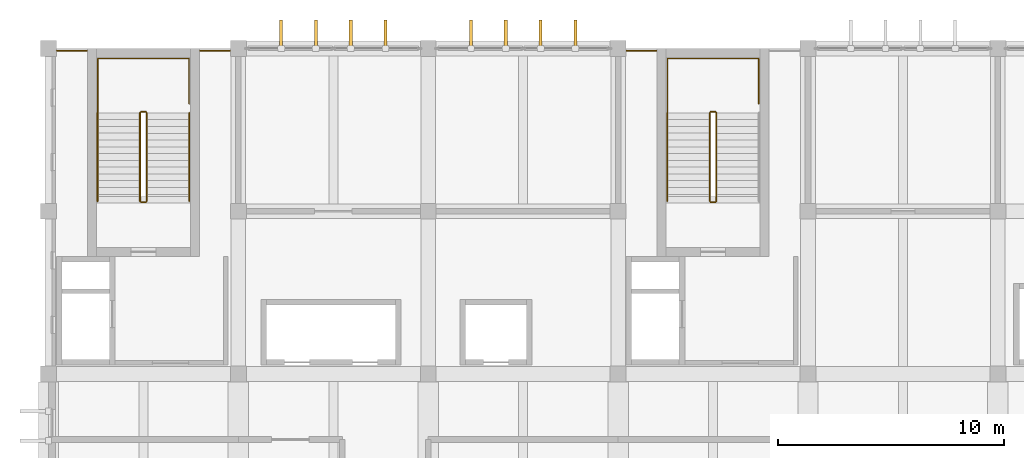
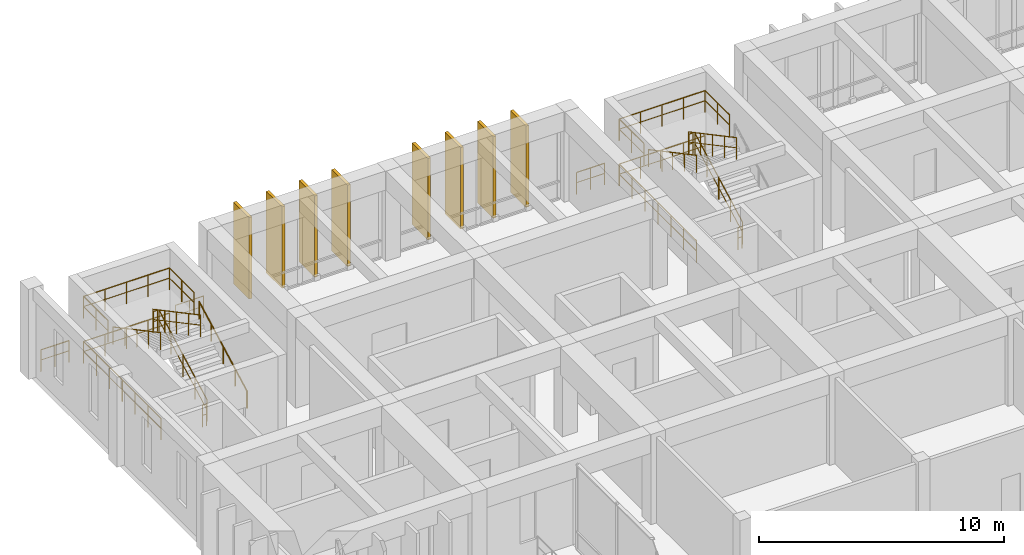
# One storey, part 16 of 17: 18 railings, 8 shading devices.
"""IFC4 building model written with IfcOpenShell, lengths in metres."""

from ifc_helpers import new_model, si_unit, direction, frame, origin, origin_2d, place, context, subcontext, project, spatial, rectangle, circle, extrude, material, type_object, element, save


model = new_model("IFC4")

# Units and contexts
model_context = context("Model", 3, precision=1e-05, world=origin(), true_north=direction((0.0, 1.0)))
body_context = subcontext(model_context, "Body", "Model", "MODEL_VIEW")
ifc_project = project(units=[si_unit("LENGTHUNIT", "METRE"), si_unit("AREAUNIT", "SQUARE_METRE"), si_unit("VOLUMEUNIT", "CUBIC_METRE"), si_unit("PLANEANGLEUNIT", "RADIAN"), si_unit("MASSUNIT", "GRAM", prefix="KILO")], contexts=[model_context])

# Site, building, storey
site_placement = place(None, origin())
site = spatial("IfcSite", under=ifc_project, at=site_placement, CompositionType="ELEMENT")
building_placement = place(site_placement, origin())
building = spatial("IfcBuilding", under=site, at=building_placement, Name="Kenerak Square Central Library", CompositionType="ELEMENT")
storey_placement = place(building_placement, frame((0.0, 0.0, 23.360107421875)))
storey = spatial("IfcBuildingStorey", under=building, at=storey_placement, Name="L05", CompositionType="ELEMENT", Elevation=23.360107421875)

# Shading devices
ifc_material_1 = material(Name="White precast concrete C40/50", Category="concrete")
shading_device_type = type_object("IfcShadingDeviceType", Name="Precast Vertical Solar Fin SF-1280 C40/50", PredefinedType="USERDEFINED", material=ifc_material_1)
for number, where, z_axis, x_axis, name in (
    (1, (68.68994140625, 111.02001953125, 0.10009765625), (0.0, 0.0, 1.0), (1.0, 0.0, 0.0), "Precast Solar Fin FIN-01 L05 0415"),
    (2, (70.22998046875, 111.02001953125, 0.10009765625), (0.0, 0.0, 1.0), (1.0, 0.0, 0.0), "Precast Solar Fin FIN-01 L05 0416"),
    (3, (71.77001953125, 111.02001953125, 0.10009765625), (0.0, 0.0, 1.0), (1.0, 0.0, 0.0), "Precast Solar Fin FIN-01 L05 0417"),
    (4, (73.31005859375, 111.02001953125, 0.10009765625), (0.0, 0.0, 1.0), (1.0, 0.0, 0.0), "Precast Solar Fin FIN-01 L05 0418"),
    (5, (77.090087890625, 111.02001953125, 0.10009765625), (0.0, 0.0, 1.0), (1.0, 0.0, 0.0), "Precast Solar Fin FIN-01 L05 0419"),
    (6, (78.6298828125, 111.02001953125, 0.10009765625), (0.0, 0.0, 1.0), (1.0, 0.0, 0.0), "Precast Solar Fin FIN-01 L05 0420"),
    (7, (80.169921875, 111.02001953125, 0.10009765625), (0.0, 0.0, 1.0), (1.0, 0.0, 0.0), "Precast Solar Fin FIN-01 L05 0421"),
    (8, (81.7099609375, 111.02001953125, 0.10009765625), (0.0, 0.0, 1.0), (1.0, 0.0, 0.0), "Precast Solar Fin FIN-01 L05 0422"),
):
    element("IfcShadingDevice", number, at=place(storey_placement, frame(where, z_axis=z_axis, x_axis=x_axis)), inside=storey, type_object=shading_device_type, Name=name, ObjectType="FIN", PredefinedType="USERDEFINED", context=body_context, shape_type="SweptSolid", body=[
        extrude(rectangle(XDim=0.139892578125, YDim=1.280029296875, at=origin_2d()), origin(), (0.0, 0.0, 1.0), 4.054931640625),
    ])

# Railings
ifc_material_2 = material(Name="Steel S355", Category="steel")
railing_type_1 = type_object("IfcRailingType", Name="Safety Guardrail GR-1100 S355", PredefinedType="GUARDRAIL", material=ifc_material_2)
railing_1_placement = place(storey_placement, frame((62.75, 103.64990234375, 0.159912109375)))
element("IfcRailing", 9, at=railing_1_placement, inside=storey, type_object=railing_type_1, Name="L05 ST-01 stair guard 1", PredefinedType="GUARDRAIL", context=body_context, shape_type="SweptSolid", body=[
    extrude(circle(Radius=0.02392578125, at=origin_2d()), frame((0.0, 0.0, 1.076171875), z_axis=(0.0, 0.882352941176, 0.470588235294), x_axis=(-1.0, 0.0, 0.0)), (0.0, 0.0, 1.0), 4.420166015625),
    extrude(circle(Radius=0.01806640625, at=origin_2d()), frame((0.0, 0.0, 0.572021484375), z_axis=(0.0, 0.882352941176, 0.470588235294), x_axis=(-1.0, 0.0, 0.0)), (0.0, 0.0, 1.0), 4.420166015625),
    extrude(circle(Radius=0.02099609375, at=origin_2d()), origin(), (0.0, 0.0, 1.0), 1.052001953125),
    extrude(circle(Radius=0.02099609375, at=origin_2d()), frame((0.0, 0.97509765625, 0.52001953125)), (0.0, 0.0, 1.0), 1.052001953125),
    extrude(circle(Radius=0.02099609375, at=origin_2d()), frame((0.0, 1.9501953125, 1.0400390625)), (0.0, 0.0, 1.0), 1.052001953125),
    extrude(circle(Radius=0.02099609375, at=origin_2d()), frame((0.0, 2.925048828125, 1.56005859375)), (0.0, 0.0, 1.0), 1.052001953125),
    extrude(circle(Radius=0.02099609375, at=origin_2d()), frame((0.0, 3.900146484375, 2.080078125)), (0.0, 0.0, 1.0), 1.052001953125),
])
railing_2_placement = place(storey_placement, frame((62.699951171875, 107.60009765625, 2.239990234375)))
element("IfcRailing", 10, at=railing_2_placement, inside=storey, type_object=railing_type_1, Name="L05 ST-01 stair guard 2", PredefinedType="GUARDRAIL", context=body_context, shape_type="SweptSolid", body=[
    extrude(circle(Radius=0.02392578125, at=origin_2d()), frame((0.0, 0.0, 1.076171875), z_axis=(-1.0, 0.0, 0.0), x_axis=(0.0, -1.0, 0.0)), (0.0, 0.0, 1.0), 0.199951171875),
    extrude(circle(Radius=0.01806640625, at=origin_2d()), frame((0.0, 0.0, 0.572021484375), z_axis=(-1.0, 0.0, 0.0), x_axis=(0.0, -1.0, 0.0)), (0.0, 0.0, 1.0), 0.199951171875),
    extrude(circle(Radius=0.02099609375, at=origin_2d()), origin(), (0.0, 0.0, 1.0), 1.052001953125),
    extrude(circle(Radius=0.02099609375, at=origin_2d()), frame((-0.199951171875, 0.0, 0.0)), (0.0, 0.0, 1.0), 1.052001953125),
])
railing_3_placement = place(storey_placement, frame((62.449951171875, 107.550048828125, 2.39990234375)))
element("IfcRailing", 11, at=railing_3_placement, inside=storey, type_object=railing_type_1, Name="L05 ST-01 stair guard 3", PredefinedType="GUARDRAIL", context=body_context, shape_type="SweptSolid", body=[
    extrude(circle(Radius=0.02392578125, at=origin_2d()), frame((0.0, 0.0, 1.076171875), z_axis=(0.0, -0.882352941176, 0.470588235294), x_axis=(1.0, 0.0, 0.0)), (0.0, 0.0, 1.0), 4.420166015625),
    extrude(circle(Radius=0.01806640625, at=origin_2d()), frame((0.0, 0.0, 0.572021484375), z_axis=(0.0, -0.882352941176, 0.470588235294), x_axis=(1.0, 0.0, 0.0)), (0.0, 0.0, 1.0), 4.420166015625),
    extrude(circle(Radius=0.02099609375, at=origin_2d()), origin(), (0.0, 0.0, 1.0), 1.052001953125),
    extrude(circle(Radius=0.02099609375, at=origin_2d()), frame((0.0, -0.97509765625, 0.52001953125)), (0.0, 0.0, 1.0), 1.052001953125),
    extrude(circle(Radius=0.02099609375, at=origin_2d()), frame((0.0, -1.9501953125, 1.0400390625)), (0.0, 0.0, 1.0), 1.052001953125),
    extrude(circle(Radius=0.02099609375, at=origin_2d()), frame((0.0, -2.925048828125, 1.56005859375)), (0.0, 0.0, 1.0), 1.052001953125),
    extrude(circle(Radius=0.02099609375, at=origin_2d()), frame((0.0, -3.900146484375, 2.080078125)), (0.0, 0.0, 1.0), 1.052001953125),
])
railing_4_placement = place(storey_placement, frame((62.699951171875, 103.60009765625, 0.0)))
element("IfcRailing", 12, at=railing_4_placement, inside=storey, type_object=railing_type_1, Name="L05 ST-01 stair guard 4", PredefinedType="GUARDRAIL", context=body_context, shape_type="SweptSolid", body=[
    extrude(circle(Radius=0.02392578125, at=origin_2d()), frame((0.0, 0.0, 1.076171875), z_axis=(-1.0, 0.0, 0.0), x_axis=(0.0, -1.0, 0.0)), (0.0, 0.0, 1.0), 0.199951171875),
    extrude(circle(Radius=0.01806640625, at=origin_2d()), frame((0.0, 0.0, 0.572021484375), z_axis=(-1.0, 0.0, 0.0), x_axis=(0.0, -1.0, 0.0)), (0.0, 0.0, 1.0), 0.199951171875),
    extrude(circle(Radius=0.02099609375, at=origin_2d()), origin(), (0.0, 0.0, 1.0), 1.052001953125),
    extrude(circle(Radius=0.02099609375, at=origin_2d()), frame((-0.199951171875, 0.0, 0.0)), (0.0, 0.0, 1.0), 1.052001953125),
])
railing_5_placement = place(storey_placement, frame((60.580078125, 107.949951171875, 2.239990234375)))
element("IfcRailing", 13, at=railing_5_placement, inside=storey, type_object=railing_type_1, Name="Stair Half-Landing Guard ST-01 L05", PredefinedType="GUARDRAIL", context=body_context, shape_type="SweptSolid", body=[
    extrude(circle(Radius=0.02392578125, at=origin_2d()), frame((0.0, 0.0, 1.076171875), z_axis=(0.0, 1.0, 0.0), x_axis=(-1.0, 0.0, 0.0)), (0.0, 0.0, 1.0), 2.0),
    extrude(circle(Radius=0.01806640625, at=origin_2d()), frame((0.0, 0.0, 0.572021484375), z_axis=(0.0, 1.0, 0.0), x_axis=(-1.0, 0.0, 0.0)), (0.0, 0.0, 1.0), 2.0),
    extrude(circle(Radius=0.02392578125, at=origin_2d()), frame((0.0, 2.0, 1.076171875), z_axis=(1.0, 0.0, 0.0), x_axis=(0.0, 1.0, 0.0)), (0.0, 0.0, 1.0), 4.0400390625),
    extrude(circle(Radius=0.01806640625, at=origin_2d()), frame((0.0, 2.0, 0.572021484375), z_axis=(1.0, 0.0, 0.0), x_axis=(0.0, 1.0, 0.0)), (0.0, 0.0, 1.0), 4.0400390625),
    extrude(circle(Radius=0.02392578125, at=origin_2d()), frame((4.0400390625, 2.0, 1.076171875), z_axis=(0.0, -1.0, 0.0), x_axis=(1.0, 0.0, 0.0)), (0.0, 0.0, 1.0), 2.0),
    extrude(circle(Radius=0.01806640625, at=origin_2d()), frame((4.0400390625, 2.0, 0.572021484375), z_axis=(0.0, -1.0, 0.0), x_axis=(1.0, 0.0, 0.0)), (0.0, 0.0, 1.0), 2.0),
    extrude(circle(Radius=0.02099609375, at=origin_2d()), origin(), (0.0, 0.0, 1.0), 1.052001953125),
    extrude(circle(Radius=0.02099609375, at=origin_2d()), frame((0.0, 1.0, 0.0)), (0.0, 0.0, 1.0), 1.052001953125),
    extrude(circle(Radius=0.02099609375, at=origin_2d()), frame((0.0, 2.0, 0.0)), (0.0, 0.0, 1.0), 1.052001953125),
    extrude(circle(Radius=0.02099609375, at=origin_2d()), frame((1.010009765625, 2.0, 0.0)), (0.0, 0.0, 1.0), 1.052001953125),
    extrude(circle(Radius=0.02099609375, at=origin_2d()), frame((2.02001953125, 2.0, 0.0)), (0.0, 0.0, 1.0), 1.052001953125),
    extrude(circle(Radius=0.02099609375, at=origin_2d()), frame((3.030029296875, 2.0, 0.0)), (0.0, 0.0, 1.0), 1.052001953125),
    extrude(circle(Radius=0.02099609375, at=origin_2d()), frame((4.0400390625, 2.0, 0.0)), (0.0, 0.0, 1.0), 1.052001953125),
    extrude(circle(Radius=0.02099609375, at=origin_2d()), frame((4.0400390625, 1.0, 0.0)), (0.0, 0.0, 1.0), 1.052001953125),
    extrude(circle(Radius=0.02099609375, at=origin_2d()), frame((4.0400390625, 0.0, 0.0)), (0.0, 0.0, 1.0), 1.052001953125),
])
railing_6_placement = place(storey_placement, frame((60.580078125, 103.64990234375, 0.0)))
element("IfcRailing", 14, at=railing_6_placement, inside=storey, type_object=railing_type_1, Name="Stair Well Floor Guard ST-01 L05", PredefinedType="GUARDRAIL", context=body_context, shape_type="SweptSolid", body=[
    extrude(circle(Radius=0.02392578125, at=origin_2d()), frame((0.0, 0.0, 1.076171875), z_axis=(0.0, 1.0, 0.0), x_axis=(-1.0, 0.0, 0.0)), (0.0, 0.0, 1.0), 6.300048828125),
    extrude(circle(Radius=0.01806640625, at=origin_2d()), frame((0.0, 0.0, 0.572021484375), z_axis=(0.0, 1.0, 0.0), x_axis=(-1.0, 0.0, 0.0)), (0.0, 0.0, 1.0), 6.300048828125),
    extrude(circle(Radius=0.02392578125, at=origin_2d()), frame((0.0, 6.300048828125, 1.076171875), z_axis=(1.0, 0.0, 0.0), x_axis=(0.0, 1.0, 0.0)), (0.0, 0.0, 1.0), 4.0400390625),
    extrude(circle(Radius=0.01806640625, at=origin_2d()), frame((0.0, 6.300048828125, 0.572021484375), z_axis=(1.0, 0.0, 0.0), x_axis=(0.0, 1.0, 0.0)), (0.0, 0.0, 1.0), 4.0400390625),
    extrude(circle(Radius=0.02099609375, at=origin_2d()), origin(), (0.0, 0.0, 1.0), 1.052001953125),
    extrude(circle(Radius=0.02099609375, at=origin_2d()), frame((0.0, 1.050048828125, 0.0)), (0.0, 0.0, 1.0), 1.052001953125),
    extrude(circle(Radius=0.02099609375, at=origin_2d()), frame((0.0, 2.10009765625, 0.0)), (0.0, 0.0, 1.0), 1.052001953125),
    extrude(circle(Radius=0.02099609375, at=origin_2d()), frame((0.0, 3.14990234375, 0.0)), (0.0, 0.0, 1.0), 1.052001953125),
    extrude(circle(Radius=0.02099609375, at=origin_2d()), frame((0.0, 4.199951171875, 0.0)), (0.0, 0.0, 1.0), 1.052001953125),
    extrude(circle(Radius=0.02099609375, at=origin_2d()), frame((0.0, 5.25, 0.0)), (0.0, 0.0, 1.0), 1.052001953125),
    extrude(circle(Radius=0.02099609375, at=origin_2d()), frame((0.0, 6.300048828125, 0.0)), (0.0, 0.0, 1.0), 1.052001953125),
    extrude(circle(Radius=0.02099609375, at=origin_2d()), frame((1.010009765625, 6.300048828125, 0.0)), (0.0, 0.0, 1.0), 1.052001953125),
    extrude(circle(Radius=0.02099609375, at=origin_2d()), frame((2.02001953125, 6.300048828125, 0.0)), (0.0, 0.0, 1.0), 1.052001953125),
    extrude(circle(Radius=0.02099609375, at=origin_2d()), frame((3.030029296875, 6.300048828125, 0.0)), (0.0, 0.0, 1.0), 1.052001953125),
    extrude(circle(Radius=0.02099609375, at=origin_2d()), frame((4.0400390625, 6.300048828125, 0.0)), (0.0, 0.0, 1.0), 1.052001953125),
])
railing_7_placement = place(storey_placement, frame((87.949951171875, 103.64990234375, 0.159912109375)))
element("IfcRailing", 15, at=railing_7_placement, inside=storey, type_object=railing_type_1, Name="L05 ST-02 stair guard 1", PredefinedType="GUARDRAIL", context=body_context, shape_type="SweptSolid", body=[
    extrude(circle(Radius=0.02392578125, at=origin_2d()), frame((0.0, 0.0, 1.076171875), z_axis=(0.0, 0.882352941176, 0.470588235294), x_axis=(-1.0, 0.0, 0.0)), (0.0, 0.0, 1.0), 4.420166015625),
    extrude(circle(Radius=0.01806640625, at=origin_2d()), frame((0.0, 0.0, 0.572021484375), z_axis=(0.0, 0.882352941176, 0.470588235294), x_axis=(-1.0, 0.0, 0.0)), (0.0, 0.0, 1.0), 4.420166015625),
    extrude(circle(Radius=0.02099609375, at=origin_2d()), origin(), (0.0, 0.0, 1.0), 1.052001953125),
    extrude(circle(Radius=0.02099609375, at=origin_2d()), frame((0.0, 0.97509765625, 0.52001953125)), (0.0, 0.0, 1.0), 1.052001953125),
    extrude(circle(Radius=0.02099609375, at=origin_2d()), frame((0.0, 1.9501953125, 1.0400390625)), (0.0, 0.0, 1.0), 1.052001953125),
    extrude(circle(Radius=0.02099609375, at=origin_2d()), frame((0.0, 2.925048828125, 1.56005859375)), (0.0, 0.0, 1.0), 1.052001953125),
    extrude(circle(Radius=0.02099609375, at=origin_2d()), frame((0.0, 3.900146484375, 2.080078125)), (0.0, 0.0, 1.0), 1.052001953125),
])
railing_8_placement = place(storey_placement, frame((87.89990234375, 107.60009765625, 2.239990234375)))
element("IfcRailing", 16, at=railing_8_placement, inside=storey, type_object=railing_type_1, Name="L05 ST-02 stair guard 2", PredefinedType="GUARDRAIL", context=body_context, shape_type="SweptSolid", body=[
    extrude(circle(Radius=0.02392578125, at=origin_2d()), frame((0.0, 0.0, 1.076171875), z_axis=(-1.0, 0.0, 0.0), x_axis=(0.0, -1.0, 0.0)), (0.0, 0.0, 1.0), 0.199951171875),
    extrude(circle(Radius=0.01806640625, at=origin_2d()), frame((0.0, 0.0, 0.572021484375), z_axis=(-1.0, 0.0, 0.0), x_axis=(0.0, -1.0, 0.0)), (0.0, 0.0, 1.0), 0.199951171875),
    extrude(circle(Radius=0.02099609375, at=origin_2d()), origin(), (0.0, 0.0, 1.0), 1.052001953125),
    extrude(circle(Radius=0.02099609375, at=origin_2d()), frame((-0.199951171875, 0.0, 0.0)), (0.0, 0.0, 1.0), 1.052001953125),
])
railing_9_placement = place(storey_placement, frame((87.64990234375, 107.550048828125, 2.39990234375)))
element("IfcRailing", 17, at=railing_9_placement, inside=storey, type_object=railing_type_1, Name="L05 ST-02 stair guard 3", PredefinedType="GUARDRAIL", context=body_context, shape_type="SweptSolid", body=[
    extrude(circle(Radius=0.02392578125, at=origin_2d()), frame((0.0, 0.0, 1.076171875), z_axis=(0.0, -0.882352941176, 0.470588235294), x_axis=(1.0, 0.0, 0.0)), (0.0, 0.0, 1.0), 4.420166015625),
    extrude(circle(Radius=0.01806640625, at=origin_2d()), frame((0.0, 0.0, 0.572021484375), z_axis=(0.0, -0.882352941176, 0.470588235294), x_axis=(1.0, 0.0, 0.0)), (0.0, 0.0, 1.0), 4.420166015625),
    extrude(circle(Radius=0.02099609375, at=origin_2d()), origin(), (0.0, 0.0, 1.0), 1.052001953125),
    extrude(circle(Radius=0.02099609375, at=origin_2d()), frame((0.0, -0.97509765625, 0.52001953125)), (0.0, 0.0, 1.0), 1.052001953125),
    extrude(circle(Radius=0.02099609375, at=origin_2d()), frame((0.0, -1.9501953125, 1.0400390625)), (0.0, 0.0, 1.0), 1.052001953125),
    extrude(circle(Radius=0.02099609375, at=origin_2d()), frame((0.0, -2.925048828125, 1.56005859375)), (0.0, 0.0, 1.0), 1.052001953125),
    extrude(circle(Radius=0.02099609375, at=origin_2d()), frame((0.0, -3.900146484375, 2.080078125)), (0.0, 0.0, 1.0), 1.052001953125),
])
railing_10_placement = place(storey_placement, frame((87.89990234375, 103.60009765625, 0.0)))
element("IfcRailing", 18, at=railing_10_placement, inside=storey, type_object=railing_type_1, Name="L05 ST-02 stair guard 4", PredefinedType="GUARDRAIL", context=body_context, shape_type="SweptSolid", body=[
    extrude(circle(Radius=0.02392578125, at=origin_2d()), frame((0.0, 0.0, 1.076171875), z_axis=(-1.0, 0.0, 0.0), x_axis=(0.0, -1.0, 0.0)), (0.0, 0.0, 1.0), 0.199951171875),
    extrude(circle(Radius=0.01806640625, at=origin_2d()), frame((0.0, 0.0, 0.572021484375), z_axis=(-1.0, 0.0, 0.0), x_axis=(0.0, -1.0, 0.0)), (0.0, 0.0, 1.0), 0.199951171875),
    extrude(circle(Radius=0.02099609375, at=origin_2d()), origin(), (0.0, 0.0, 1.0), 1.052001953125),
    extrude(circle(Radius=0.02099609375, at=origin_2d()), frame((-0.199951171875, 0.0, 0.0)), (0.0, 0.0, 1.0), 1.052001953125),
])
railing_11_placement = place(storey_placement, frame((85.780029296875, 107.949951171875, 2.239990234375)))
element("IfcRailing", 19, at=railing_11_placement, inside=storey, type_object=railing_type_1, Name="Stair Half-Landing Guard ST-02 L05", PredefinedType="GUARDRAIL", context=body_context, shape_type="SweptSolid", body=[
    extrude(circle(Radius=0.02392578125, at=origin_2d()), frame((0.0, 0.0, 1.076171875), z_axis=(0.0, 1.0, 0.0), x_axis=(-1.0, 0.0, 0.0)), (0.0, 0.0, 1.0), 2.0),
    extrude(circle(Radius=0.01806640625, at=origin_2d()), frame((0.0, 0.0, 0.572021484375), z_axis=(0.0, 1.0, 0.0), x_axis=(-1.0, 0.0, 0.0)), (0.0, 0.0, 1.0), 2.0),
    extrude(circle(Radius=0.02392578125, at=origin_2d()), frame((0.0, 2.0, 1.076171875), z_axis=(1.0, 0.0, 0.0), x_axis=(0.0, 1.0, 0.0)), (0.0, 0.0, 1.0), 4.0400390625),
    extrude(circle(Radius=0.01806640625, at=origin_2d()), frame((0.0, 2.0, 0.572021484375), z_axis=(1.0, 0.0, 0.0), x_axis=(0.0, 1.0, 0.0)), (0.0, 0.0, 1.0), 4.0400390625),
    extrude(circle(Radius=0.02392578125, at=origin_2d()), frame((4.0400390625, 2.0, 1.076171875), z_axis=(0.0, -1.0, 0.0), x_axis=(1.0, 0.0, 0.0)), (0.0, 0.0, 1.0), 2.0),
    extrude(circle(Radius=0.01806640625, at=origin_2d()), frame((4.0400390625, 2.0, 0.572021484375), z_axis=(0.0, -1.0, 0.0), x_axis=(1.0, 0.0, 0.0)), (0.0, 0.0, 1.0), 2.0),
    extrude(circle(Radius=0.02099609375, at=origin_2d()), origin(), (0.0, 0.0, 1.0), 1.052001953125),
    extrude(circle(Radius=0.02099609375, at=origin_2d()), frame((0.0, 1.0, 0.0)), (0.0, 0.0, 1.0), 1.052001953125),
    extrude(circle(Radius=0.02099609375, at=origin_2d()), frame((0.0, 2.0, 0.0)), (0.0, 0.0, 1.0), 1.052001953125),
    extrude(circle(Radius=0.02099609375, at=origin_2d()), frame((1.010009765625, 2.0, 0.0)), (0.0, 0.0, 1.0), 1.052001953125),
    extrude(circle(Radius=0.02099609375, at=origin_2d()), frame((2.02001953125, 2.0, 0.0)), (0.0, 0.0, 1.0), 1.052001953125),
    extrude(circle(Radius=0.02099609375, at=origin_2d()), frame((3.030029296875, 2.0, 0.0)), (0.0, 0.0, 1.0), 1.052001953125),
    extrude(circle(Radius=0.02099609375, at=origin_2d()), frame((4.0400390625, 2.0, 0.0)), (0.0, 0.0, 1.0), 1.052001953125),
    extrude(circle(Radius=0.02099609375, at=origin_2d()), frame((4.0400390625, 1.0, 0.0)), (0.0, 0.0, 1.0), 1.052001953125),
    extrude(circle(Radius=0.02099609375, at=origin_2d()), frame((4.0400390625, 0.0, 0.0)), (0.0, 0.0, 1.0), 1.052001953125),
])
railing_12_placement = place(storey_placement, frame((85.780029296875, 103.64990234375, 0.0)))
element("IfcRailing", 20, at=railing_12_placement, inside=storey, type_object=railing_type_1, Name="Stair Well Floor Guard ST-02 L05", PredefinedType="GUARDRAIL", context=body_context, shape_type="SweptSolid", body=[
    extrude(circle(Radius=0.02392578125, at=origin_2d()), frame((0.0, 0.0, 1.076171875), z_axis=(0.0, 1.0, 0.0), x_axis=(-1.0, 0.0, 0.0)), (0.0, 0.0, 1.0), 6.300048828125),
    extrude(circle(Radius=0.01806640625, at=origin_2d()), frame((0.0, 0.0, 0.572021484375), z_axis=(0.0, 1.0, 0.0), x_axis=(-1.0, 0.0, 0.0)), (0.0, 0.0, 1.0), 6.300048828125),
    extrude(circle(Radius=0.02392578125, at=origin_2d()), frame((0.0, 6.300048828125, 1.076171875), z_axis=(1.0, 0.0, 0.0), x_axis=(0.0, 1.0, 0.0)), (0.0, 0.0, 1.0), 4.0400390625),
    extrude(circle(Radius=0.01806640625, at=origin_2d()), frame((0.0, 6.300048828125, 0.572021484375), z_axis=(1.0, 0.0, 0.0), x_axis=(0.0, 1.0, 0.0)), (0.0, 0.0, 1.0), 4.0400390625),
    extrude(circle(Radius=0.02099609375, at=origin_2d()), origin(), (0.0, 0.0, 1.0), 1.052001953125),
    extrude(circle(Radius=0.02099609375, at=origin_2d()), frame((0.0, 1.050048828125, 0.0)), (0.0, 0.0, 1.0), 1.052001953125),
    extrude(circle(Radius=0.02099609375, at=origin_2d()), frame((0.0, 2.10009765625, 0.0)), (0.0, 0.0, 1.0), 1.052001953125),
    extrude(circle(Radius=0.02099609375, at=origin_2d()), frame((0.0, 3.14990234375, 0.0)), (0.0, 0.0, 1.0), 1.052001953125),
    extrude(circle(Radius=0.02099609375, at=origin_2d()), frame((0.0, 4.199951171875, 0.0)), (0.0, 0.0, 1.0), 1.052001953125),
    extrude(circle(Radius=0.02099609375, at=origin_2d()), frame((0.0, 5.25, 0.0)), (0.0, 0.0, 1.0), 1.052001953125),
    extrude(circle(Radius=0.02099609375, at=origin_2d()), frame((0.0, 6.300048828125, 0.0)), (0.0, 0.0, 1.0), 1.052001953125),
    extrude(circle(Radius=0.02099609375, at=origin_2d()), frame((1.010009765625, 6.300048828125, 0.0)), (0.0, 0.0, 1.0), 1.052001953125),
    extrude(circle(Radius=0.02099609375, at=origin_2d()), frame((2.02001953125, 6.300048828125, 0.0)), (0.0, 0.0, 1.0), 1.052001953125),
    extrude(circle(Radius=0.02099609375, at=origin_2d()), frame((3.030029296875, 6.300048828125, 0.0)), (0.0, 0.0, 1.0), 1.052001953125),
    extrude(circle(Radius=0.02099609375, at=origin_2d()), frame((4.0400390625, 6.300048828125, 0.0)), (0.0, 0.0, 1.0), 1.052001953125),
])
for number, where, name in (
    (21, (58.77197265625, 110.300048828125, 0.0), "Perimeter Edge Guardrail L05 59-1"),
    (22, (65.10205078125, 110.300048828125, 0.0), "Perimeter Edge Guardrail L05 65-2"),
):
    element("IfcRailing", number, at=place(storey_placement, frame(where)), inside=storey, type_object=railing_type_1, Name=name, PredefinedType="GUARDRAIL", context=body_context, shape_type="SweptSolid", body=[
        extrude(circle(Radius=0.02392578125, at=origin_2d()), frame((0.0, 0.0, 1.076171875), z_axis=(1.0, 0.0, 0.0), x_axis=(0.0, 1.0, 0.0)), (0.0, 0.0, 1.0), 1.325927734375),
        extrude(circle(Radius=0.01806640625, at=origin_2d()), frame((0.0, 0.0, 0.572021484375), z_axis=(1.0, 0.0, 0.0), x_axis=(0.0, 1.0, 0.0)), (0.0, 0.0, 1.0), 1.325927734375),
        extrude(circle(Radius=0.02099609375, at=origin_2d()), origin(), (0.0, 0.0, 1.0), 1.052001953125),
        extrude(circle(Radius=0.02099609375, at=origin_2d()), frame((0.6630859375, 0.0, 0.0)), (0.0, 0.0, 1.0), 1.052001953125),
        extrude(circle(Radius=0.02099609375, at=origin_2d()), frame((1.325927734375, 0.0, 0.0)), (0.0, 0.0, 1.0), 1.052001953125),
    ])
railing_13_placement = place(storey_placement, frame((83.971923828125, 110.300048828125, 0.0)))
element("IfcRailing", 23, at=railing_13_placement, inside=storey, type_object=railing_type_1, Name="Perimeter Edge Guardrail L05 84-1", PredefinedType="GUARDRAIL", context=body_context, shape_type="SweptSolid", body=[
    extrude(circle(Radius=0.02392578125, at=origin_2d()), frame((0.0, 0.0, 1.076171875), z_axis=(1.0, 0.0, 0.0), x_axis=(0.0, 1.0, 0.0)), (0.0, 0.0, 1.0), 1.326171875),
    extrude(circle(Radius=0.01806640625, at=origin_2d()), frame((0.0, 0.0, 0.572021484375), z_axis=(1.0, 0.0, 0.0), x_axis=(0.0, 1.0, 0.0)), (0.0, 0.0, 1.0), 1.326171875),
    extrude(circle(Radius=0.02099609375, at=origin_2d()), origin(), (0.0, 0.0, 1.0), 1.052001953125),
    extrude(circle(Radius=0.02099609375, at=origin_2d()), frame((0.6630859375, 0.0, 0.0)), (0.0, 0.0, 1.0), 1.052001953125),
    extrude(circle(Radius=0.02099609375, at=origin_2d()), frame((1.326171875, 0.0, 0.0)), (0.0, 0.0, 1.0), 1.052001953125),
])
railing_type_2 = type_object("IfcRailingType", Name="Stair Handrail HR-880 S355", PredefinedType="HANDRAIL", material=ifc_material_2)
railing_14_placement = place(storey_placement, frame((64.6298828125, 103.64990234375, 0.159912109375)))
element("IfcRailing", 24, at=railing_14_placement, inside=storey, type_object=railing_type_2, Name="L05 ST-01 stair handrail 1", PredefinedType="HANDRAIL", context=body_context, shape_type="SweptSolid", body=[
    extrude(circle(Radius=0.02392578125, at=origin_2d()), frame((0.0, 0.0, 0.85595703125), z_axis=(0.0, 0.882352941176, 0.470588235294), x_axis=(-1.0, 0.0, 0.0)), (0.0, 0.0, 1.0), 4.420166015625),
    extrude(circle(Radius=0.02099609375, at=origin_2d()), origin(), (0.0, 0.0, 1.0), 0.831787109375),
    extrude(circle(Radius=0.02099609375, at=origin_2d()), frame((0.0, 0.97509765625, 0.52001953125)), (0.0, 0.0, 1.0), 0.831787109375),
    extrude(circle(Radius=0.02099609375, at=origin_2d()), frame((0.0, 1.9501953125, 1.0400390625)), (0.0, 0.0, 1.0), 0.831787109375),
    extrude(circle(Radius=0.02099609375, at=origin_2d()), frame((0.0, 2.925048828125, 1.56005859375)), (0.0, 0.0, 1.0), 0.831787109375),
    extrude(circle(Radius=0.02099609375, at=origin_2d()), frame((0.0, 3.900146484375, 2.080078125)), (0.0, 0.0, 1.0), 0.831787109375),
])
for number, where, name in (
    (25, (60.570068359375, 107.550048828125, 2.39990234375), "L05 ST-01 stair handrail 2"),
    (26, (85.77001953125, 107.550048828125, 2.39990234375), "L05 ST-02 stair handrail 2"),
):
    element("IfcRailing", number, at=place(storey_placement, frame(where)), inside=storey, type_object=railing_type_2, Name=name, PredefinedType="HANDRAIL", context=body_context, shape_type="SweptSolid", body=[
        extrude(circle(Radius=0.02392578125, at=origin_2d()), frame((0.0, 0.0, 0.85595703125), z_axis=(0.0, -0.882352941176, 0.470588235294), x_axis=(1.0, 0.0, 0.0)), (0.0, 0.0, 1.0), 4.420166015625),
        extrude(circle(Radius=0.02099609375, at=origin_2d()), origin(), (0.0, 0.0, 1.0), 0.831787109375),
        extrude(circle(Radius=0.02099609375, at=origin_2d()), frame((0.0, -0.97509765625, 0.52001953125)), (0.0, 0.0, 1.0), 0.831787109375),
        extrude(circle(Radius=0.02099609375, at=origin_2d()), frame((0.0, -1.9501953125, 1.0400390625)), (0.0, 0.0, 1.0), 0.831787109375),
        extrude(circle(Radius=0.02099609375, at=origin_2d()), frame((0.0, -2.925048828125, 1.56005859375)), (0.0, 0.0, 1.0), 0.831787109375),
        extrude(circle(Radius=0.02099609375, at=origin_2d()), frame((0.0, -3.900146484375, 2.080078125)), (0.0, 0.0, 1.0), 0.831787109375),
    ])

save(model, "model.ifc")
